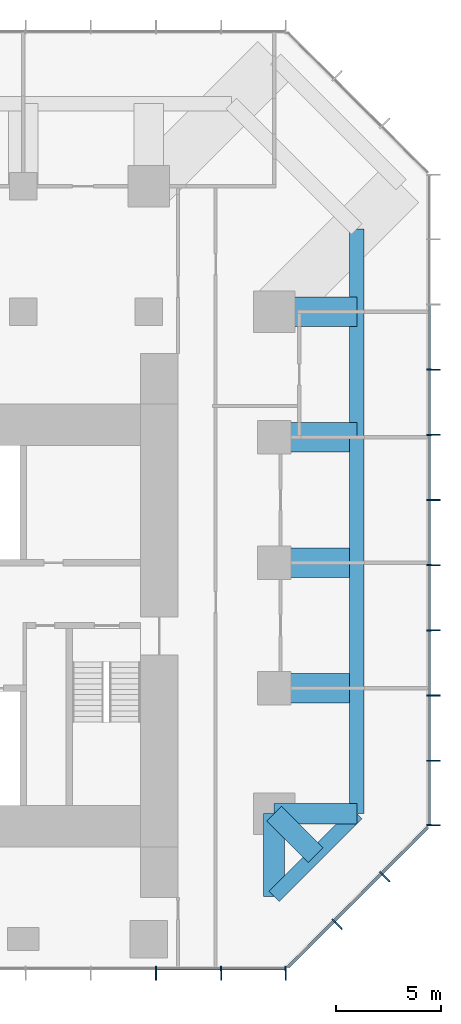
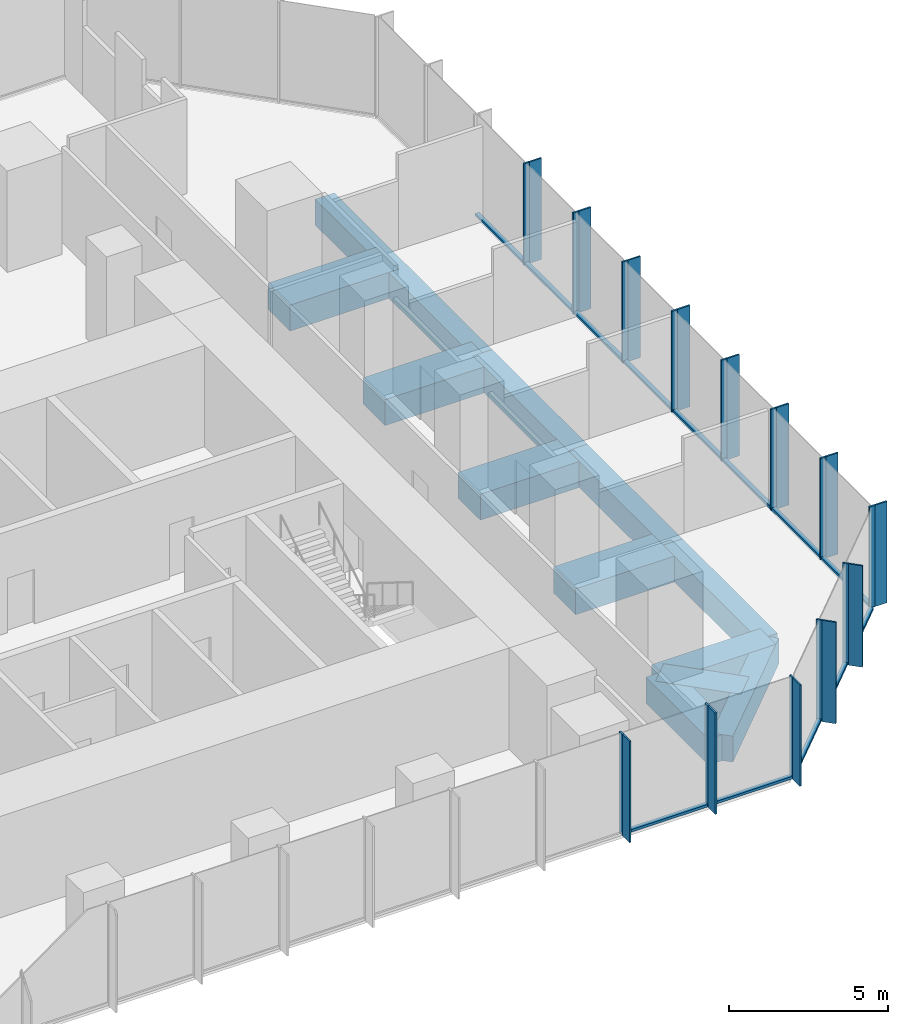
# One storey, part 4 of 11: 39 members, 12 beams, 3 elements without a shape of their own.
"""IFC4 building model written with IfcOpenShell, lengths in metres."""

from ifc_helpers import new_model, si_unit, direction, frame, origin, origin_2d, place, context, subcontext, project, spatial, rectangle, extrude, material, layer, layer_set, material_profile, profile_set, type_object, element, aggregate, save


model = new_model("IFC4")

# Units and contexts
model_context = context("Model", 3, precision=1e-05, world=origin(), true_north=direction((0.0, 1.0)))
body_context = subcontext(model_context, "Body", "Model", "MODEL_VIEW")
ifc_project = project(units=[si_unit("LENGTHUNIT", "METRE"), si_unit("AREAUNIT", "SQUARE_METRE"), si_unit("VOLUMEUNIT", "CUBIC_METRE"), si_unit("PLANEANGLEUNIT", "RADIAN"), si_unit("MASSUNIT", "GRAM", prefix="KILO")], contexts=[model_context])

# Site, building, storey
site_placement = place(None, origin())
site = spatial("IfcSite", under=ifc_project, at=site_placement, CompositionType="ELEMENT")
building_placement = place(site_placement, origin())
building = spatial("IfcBuilding", under=site, at=building_placement, Name="Highveld Stack Headquarters", CompositionType="ELEMENT")
storey_placement = place(building_placement, frame((0.0, 0.0, 173.300048828125)))
storey = spatial("IfcBuildingStorey", under=building, at=storey_placement, Name="L42", CompositionType="ELEMENT", Elevation=173.300048828125)

# Beams
ifc_material_1 = material(Name="Concrete C60/75", Category="concrete")
ifc_material_profile_1 = material_profile(ifc_material_1, rectangle(XDim=1.0, YDim=1.0, at=origin_2d()), Name="RC 1000x1000")
ifc_profile_set_1 = profile_set([ifc_material_profile_1], Name="Concrete C60/75")
beam_type_1 = type_object("IfcBeamType", Name="CANTILEVER RIB RC 1000x1000", PredefinedType="USERDEFINED", material=ifc_profile_set_1)
for number, where, z_axis, x_axis, name in (
    (1, (24.0, -6.0, -0.75), (1.0, 0.0, 0.0), (0.0, 1.0, 0.0), "Cantilever rib 10/D L42"),
    (2, (24.0, -6.0, -0.75), (0.0, -1.0, 0.0), (1.0, 0.0, 0.0), "Cantilever rib 10/D L42"),
):
    element("IfcBeam", number, at=place(storey_placement, frame(where, z_axis=z_axis, x_axis=x_axis)), inside=storey, type_object=beam_type_1, Name=name, ObjectType="CANTILEVER RIB", PredefinedType="USERDEFINED", context=body_context, shape_type="SweptSolid", body=[
        extrude(rectangle(XDim=1.0, YDim=1.0, at=origin_2d()), origin(), (0.0, 0.0, 1.0), 3.949951171875),
    ])
beam_1_placement = place(storey_placement, frame((24.0, -6.0, -0.75), z_axis=(0.707106781187, -0.707106781187, 0.0), x_axis=(0.707106781187, 0.707106781187, 0.0)))
element("IfcBeam", 3, at=beam_1_placement, inside=storey, type_object=beam_type_1, Name="Cantilever rib 10/D L42", ObjectType="CANTILEVER RIB", PredefinedType="USERDEFINED", context=body_context, shape_type="SweptSolid", body=[
    extrude(rectangle(XDim=1.0, YDim=1.0, at=origin_2d()), origin(), (0.0, 0.0, 1.0), 2.793212890625),
])
ifc_material_2 = material(Name="Concrete C60/75", Category="concrete")
ifc_material_profile_2 = material_profile(ifc_material_2, rectangle(XDim=1.39990234375, YDim=1.0, at=origin_2d()), Name="RC 1400x1000")
ifc_profile_set_2 = profile_set([ifc_material_profile_2], Name="Concrete C60/75")
beam_type_2 = type_object("IfcBeamType", Name="CANTILEVER RIB RC 1400x1000", PredefinedType="USERDEFINED", material=ifc_profile_set_2)
for number, where, z_axis, x_axis, name in (
    (4, (24.0, 0.0, -0.75), (1.0, 0.0, 0.0), (0.0, 1.0, 0.0), "Cantilever rib 10/E L42"),
    (5, (24.0, 6.0, -0.75), (1.0, 0.0, 0.0), (0.0, 1.0, 0.0), "Cantilever rib 10/F L42"),
    (6, (24.0, 12.0, -0.75), (1.0, 0.0, 0.0), (0.0, 1.0, 0.0), "Cantilever rib 10/G L42"),
    (7, (24.0, 18.0, -0.75), (1.0, 0.0, 0.0), (0.0, 1.0, 0.0), "Cantilever rib 10/H L42"),
):
    element("IfcBeam", number, at=place(storey_placement, frame(where, z_axis=z_axis, x_axis=x_axis)), inside=storey, type_object=beam_type_2, Name=name, ObjectType="CANTILEVER RIB", PredefinedType="USERDEFINED", context=body_context, shape_type="SweptSolid", body=[
        extrude(rectangle(XDim=1.39990234375, YDim=1.0, at=origin_2d()), origin(), (0.0, 0.0, 1.0), 3.949951171875),
    ])

# Curtain wall, members
ifc_material_3 = material(Name="Aluminium bronze anodised", Category="aluminium")
ifc_layer_1 = layer(ifc_material_3, 0.199951171875)
ifc_layer_set_1 = layer_set([ifc_layer_1], Name="Aluminium bronze anodised")
curtain_wall_type_1 = type_object("IfcCurtainWallType", Name="CW1 TOWER UNITISED CURTAIN WALL", PredefinedType="NOTDEFINED", material=ifc_layer_set_1)
curtain_wall_1_placement = place(storey_placement, origin())
curtain_wall_1 = element("IfcCurtainWall", 8, at=curtain_wall_1_placement, inside=storey, type_object=curtain_wall_type_1, Name="Curtain wall CW1 L42 S", PredefinedType="NOTDEFINED")
ifc_material_4 = material(Name="Aluminium bronze anodised", Category="aluminium")
ifc_material_profile_3 = material_profile(ifc_material_4, rectangle(XDim=0.449951171875, YDim=0.06005859375, at=origin_2d()), Name="FIN 450x60")
ifc_profile_set_3 = profile_set([ifc_material_profile_3], Name="Aluminium bronze anodised")
member_type_1 = type_object("IfcMemberType", Name="CW1 BRONZE FIN 450x60", PredefinedType="USERDEFINED", material=ifc_profile_set_3)
member_1_placement = place(storey_placement, frame((18.347900390625, -13.72509765625, 0.0), z_axis=(0.0, 0.0, 1.0), x_axis=(0.0, 1.0, 0.0)))
member_1 = element("IfcMember", 9, at=member_1_placement, type_object=member_type_1, Name="CW1 fin L42 9", ObjectType="FIN", PredefinedType="USERDEFINED", context=body_context, shape_type="SweptSolid", body=[
    extrude(rectangle(XDim=0.449951171875, YDim=0.06005859375, at=origin_2d()), origin(), (0.0, 0.0, 1.0), 3.89990234375),
])
member_2_placement = place(storey_placement, frame((21.4638671875, -13.72509765625, 0.0), z_axis=(0.0, 0.0, 1.0), x_axis=(0.0, 1.0, 0.0)))
member_2 = element("IfcMember", 10, at=member_2_placement, type_object=member_type_1, Name="CW1 fin L42 10", ObjectType="FIN", PredefinedType="USERDEFINED", context=body_context, shape_type="SweptSolid", body=[
    extrude(rectangle(XDim=0.449951171875, YDim=0.06005859375, at=origin_2d()), origin(), (0.0, 0.0, 1.0), 3.89990234375),
])
member_3_placement = place(storey_placement, frame((24.54736328125, -13.72509765625, 0.0), z_axis=(0.0, 0.0, 1.0), x_axis=(0.0, 1.0, 0.0)))
member_3 = element("IfcMember", 11, at=member_3_placement, type_object=member_type_1, Name="CW1 fin L42 11", ObjectType="FIN", PredefinedType="USERDEFINED", context=body_context, shape_type="SweptSolid", body=[
    extrude(rectangle(XDim=0.449951171875, YDim=0.06005859375, at=origin_2d()), origin(), (0.0, 0.0, 1.0), 3.89990234375),
])

curtain_wall_2_placement = place(storey_placement, origin())
curtain_wall_2 = element("IfcCurtainWall", 12, at=curtain_wall_2_placement, inside=storey, type_object=curtain_wall_type_1, Name="Curtain wall CW1 L42 E", PredefinedType="NOTDEFINED")
member_4_placement = place(storey_placement, frame((31.72509765625, -6.54736328125, 0.0), z_axis=(0.0, 0.0, 1.0), x_axis=(-1.0, 0.0, 0.0)))
member_4 = element("IfcMember", 13, at=member_4_placement, type_object=member_type_1, Name="CW1 fin L42 1", ObjectType="FIN", PredefinedType="USERDEFINED", context=body_context, shape_type="SweptSolid", body=[
    extrude(rectangle(XDim=0.449951171875, YDim=0.06005859375, at=origin_2d()), origin(), (0.0, 0.0, 1.0), 3.89990234375),
])
member_5_placement = place(storey_placement, frame((31.72509765625, -3.4638671875, 0.0), z_axis=(0.0, 0.0, 1.0), x_axis=(-1.0, 0.0, 0.0)))
member_5 = element("IfcMember", 14, at=member_5_placement, type_object=member_type_1, Name="CW1 fin L42 2", ObjectType="FIN", PredefinedType="USERDEFINED", context=body_context, shape_type="SweptSolid", body=[
    extrude(rectangle(XDim=0.449951171875, YDim=0.06005859375, at=origin_2d()), origin(), (0.0, 0.0, 1.0), 3.89990234375),
])
member_6_placement = place(storey_placement, frame((31.72509765625, -0.347900390625, 0.0), z_axis=(0.0, 0.0, 1.0), x_axis=(-1.0, 0.0, 0.0)))
member_6 = element("IfcMember", 15, at=member_6_placement, type_object=member_type_1, Name="CW1 fin L42 3", ObjectType="FIN", PredefinedType="USERDEFINED", context=body_context, shape_type="SweptSolid", body=[
    extrude(rectangle(XDim=0.449951171875, YDim=0.06005859375, at=origin_2d()), origin(), (0.0, 0.0, 1.0), 3.89990234375),
])
member_7_placement = place(storey_placement, frame((31.72509765625, 2.76806640625, 0.0), z_axis=(0.0, 0.0, 1.0), x_axis=(-1.0, 0.0, 0.0)))
member_7 = element("IfcMember", 16, at=member_7_placement, type_object=member_type_1, Name="CW1 fin L42 4", ObjectType="FIN", PredefinedType="USERDEFINED", context=body_context, shape_type="SweptSolid", body=[
    extrude(rectangle(XDim=0.449951171875, YDim=0.06005859375, at=origin_2d()), origin(), (0.0, 0.0, 1.0), 3.89990234375),
])
member_8_placement = place(storey_placement, frame((31.72509765625, 5.884033203125, 0.0), z_axis=(0.0, 0.0, 1.0), x_axis=(-1.0, 0.0, 0.0)))
member_8 = element("IfcMember", 17, at=member_8_placement, type_object=member_type_1, Name="CW1 fin L42 5", ObjectType="FIN", PredefinedType="USERDEFINED", context=body_context, shape_type="SweptSolid", body=[
    extrude(rectangle(XDim=0.449951171875, YDim=0.06005859375, at=origin_2d()), origin(), (0.0, 0.0, 1.0), 3.89990234375),
])
member_9_placement = place(storey_placement, frame((31.72509765625, 9.0, 0.0), z_axis=(0.0, 0.0, 1.0), x_axis=(-1.0, 0.0, 0.0)))
member_9 = element("IfcMember", 18, at=member_9_placement, type_object=member_type_1, Name="CW1 fin L42 6", ObjectType="FIN", PredefinedType="USERDEFINED", context=body_context, shape_type="SweptSolid", body=[
    extrude(rectangle(XDim=0.449951171875, YDim=0.06005859375, at=origin_2d()), origin(), (0.0, 0.0, 1.0), 3.89990234375),
])
member_10_placement = place(storey_placement, frame((31.72509765625, 12.115966796875, 0.0), z_axis=(0.0, 0.0, 1.0), x_axis=(-1.0, 0.0, 0.0)))
member_10 = element("IfcMember", 19, at=member_10_placement, type_object=member_type_1, Name="CW1 fin L42 7", ObjectType="FIN", PredefinedType="USERDEFINED", context=body_context, shape_type="SweptSolid", body=[
    extrude(rectangle(XDim=0.449951171875, YDim=0.06005859375, at=origin_2d()), origin(), (0.0, 0.0, 1.0), 3.89990234375),
])
member_11_placement = place(storey_placement, frame((31.72509765625, 15.23193359375, 0.0), z_axis=(0.0, 0.0, 1.0), x_axis=(-1.0, 0.0, 0.0)))
member_11 = element("IfcMember", 20, at=member_11_placement, type_object=member_type_1, Name="CW1 fin L42 8", ObjectType="FIN", PredefinedType="USERDEFINED", context=body_context, shape_type="SweptSolid", body=[
    extrude(rectangle(XDim=0.449951171875, YDim=0.06005859375, at=origin_2d()), origin(), (0.0, 0.0, 1.0), 3.89990234375),
])

# Member
ifc_material_5 = material(Name="Aluminium bronze anodised", Category="aluminium")
ifc_material_profile_4 = material_profile(ifc_material_5, rectangle(XDim=0.199951171875, YDim=0.06494140625, at=origin_2d()), Name="CW1 MULLION 65x200")
ifc_profile_set_4 = profile_set([ifc_material_profile_4], Name="Aluminium bronze anodised")
member_type_2 = type_object("IfcMemberType", Name="CW1 MULLION 65x200", PredefinedType="MULLION", material=ifc_profile_set_4)
member_12_placement = place(storey_placement, frame((18.347900390625, -13.39990234375, 0.0), z_axis=(0.0, 0.0, 1.0), x_axis=(0.0, 1.0, 0.0)))
member_12 = element("IfcMember", 21, at=member_12_placement, type_object=member_type_2, Name="CW1 mullion L42 9", PredefinedType="MULLION", context=body_context, shape_type="SweptSolid", body=[
    extrude(rectangle(XDim=0.199951171875, YDim=0.06494140625, at=origin_2d()), origin(), (0.0, 0.0, 1.0), 3.89990234375),
])

member_13_placement = place(storey_placement, frame((21.4638671875, -13.39990234375, 0.0), z_axis=(0.0, 0.0, 1.0), x_axis=(0.0, 1.0, 0.0)))
member_13 = element("IfcMember", 22, at=member_13_placement, type_object=member_type_2, Name="CW1 mullion L42 10", PredefinedType="MULLION", context=body_context, shape_type="SweptSolid", body=[
    extrude(rectangle(XDim=0.199951171875, YDim=0.06494140625, at=origin_2d()), origin(), (0.0, 0.0, 1.0), 3.89990234375),
])

member_14_placement = place(storey_placement, frame((24.54736328125, -13.39990234375, 0.0), z_axis=(0.0, 0.0, 1.0), x_axis=(0.0, 1.0, 0.0)))
member_14 = element("IfcMember", 23, at=member_14_placement, type_object=member_type_2, Name="CW1 mullion L42 11", PredefinedType="MULLION", context=body_context, shape_type="SweptSolid", body=[
    extrude(rectangle(XDim=0.199951171875, YDim=0.06494140625, at=origin_2d()), origin(), (0.0, 0.0, 1.0), 3.89990234375),
])

member_15_placement = place(storey_placement, frame((31.39990234375, -6.54736328125, 0.0), z_axis=(0.0, 0.0, 1.0), x_axis=(-1.0, 0.0, 0.0)))
member_15 = element("IfcMember", 24, at=member_15_placement, type_object=member_type_2, Name="CW1 mullion L42 1", PredefinedType="MULLION", context=body_context, shape_type="SweptSolid", body=[
    extrude(rectangle(XDim=0.199951171875, YDim=0.06494140625, at=origin_2d()), origin(), (0.0, 0.0, 1.0), 3.89990234375),
])

member_16_placement = place(storey_placement, frame((31.39990234375, -3.4638671875, 0.0), z_axis=(0.0, 0.0, 1.0), x_axis=(-1.0, 0.0, 0.0)))
member_16 = element("IfcMember", 25, at=member_16_placement, type_object=member_type_2, Name="CW1 mullion L42 2", PredefinedType="MULLION", context=body_context, shape_type="SweptSolid", body=[
    extrude(rectangle(XDim=0.199951171875, YDim=0.06494140625, at=origin_2d()), origin(), (0.0, 0.0, 1.0), 3.89990234375),
])

member_17_placement = place(storey_placement, frame((31.39990234375, -0.347900390625, 0.0), z_axis=(0.0, 0.0, 1.0), x_axis=(-1.0, 0.0, 0.0)))
member_17 = element("IfcMember", 26, at=member_17_placement, type_object=member_type_2, Name="CW1 mullion L42 3", PredefinedType="MULLION", context=body_context, shape_type="SweptSolid", body=[
    extrude(rectangle(XDim=0.199951171875, YDim=0.06494140625, at=origin_2d()), origin(), (0.0, 0.0, 1.0), 3.89990234375),
])

member_18_placement = place(storey_placement, frame((31.39990234375, 2.76806640625, 0.0), z_axis=(0.0, 0.0, 1.0), x_axis=(-1.0, 0.0, 0.0)))
member_18 = element("IfcMember", 27, at=member_18_placement, type_object=member_type_2, Name="CW1 mullion L42 4", PredefinedType="MULLION", context=body_context, shape_type="SweptSolid", body=[
    extrude(rectangle(XDim=0.199951171875, YDim=0.06494140625, at=origin_2d()), origin(), (0.0, 0.0, 1.0), 3.89990234375),
])

member_19_placement = place(storey_placement, frame((31.39990234375, 5.884033203125, 0.0), z_axis=(0.0, 0.0, 1.0), x_axis=(-1.0, 0.0, 0.0)))
member_19 = element("IfcMember", 28, at=member_19_placement, type_object=member_type_2, Name="CW1 mullion L42 5", PredefinedType="MULLION", context=body_context, shape_type="SweptSolid", body=[
    extrude(rectangle(XDim=0.199951171875, YDim=0.06494140625, at=origin_2d()), origin(), (0.0, 0.0, 1.0), 3.89990234375),
])

member_20_placement = place(storey_placement, frame((31.39990234375, 9.0, 0.0), z_axis=(0.0, 0.0, 1.0), x_axis=(-1.0, 0.0, 0.0)))
member_20 = element("IfcMember", 29, at=member_20_placement, type_object=member_type_2, Name="CW1 mullion L42 6", PredefinedType="MULLION", context=body_context, shape_type="SweptSolid", body=[
    extrude(rectangle(XDim=0.199951171875, YDim=0.06494140625, at=origin_2d()), origin(), (0.0, 0.0, 1.0), 3.89990234375),
])

member_21_placement = place(storey_placement, frame((31.39990234375, 12.115966796875, 0.0), z_axis=(0.0, 0.0, 1.0), x_axis=(-1.0, 0.0, 0.0)))
member_21 = element("IfcMember", 30, at=member_21_placement, type_object=member_type_2, Name="CW1 mullion L42 7", PredefinedType="MULLION", context=body_context, shape_type="SweptSolid", body=[
    extrude(rectangle(XDim=0.199951171875, YDim=0.06494140625, at=origin_2d()), origin(), (0.0, 0.0, 1.0), 3.89990234375),
])

member_22_placement = place(storey_placement, frame((31.39990234375, 15.23193359375, 0.0), z_axis=(0.0, 0.0, 1.0), x_axis=(-1.0, 0.0, 0.0)))
member_22 = element("IfcMember", 31, at=member_22_placement, type_object=member_type_2, Name="CW1 mullion L42 8", PredefinedType="MULLION", context=body_context, shape_type="SweptSolid", body=[
    extrude(rectangle(XDim=0.199951171875, YDim=0.06494140625, at=origin_2d()), origin(), (0.0, 0.0, 1.0), 3.89990234375),
])

ifc_material_6 = material(Name="Aluminium bronze anodised", Category="aluminium")
ifc_material_profile_5 = material_profile(ifc_material_6, rectangle(XDim=0.14990234375, YDim=0.10009765625, at=origin_2d()), Name="CW1 TRANSOM 150x100")
ifc_profile_set_5 = profile_set([ifc_material_profile_5], Name="Aluminium bronze anodised")
member_type_3 = type_object("IfcMemberType", Name="CW1 STACK TRANSOM 150x100", PredefinedType="USERDEFINED", material=ifc_profile_set_5)
member_23_placement = place(storey_placement, frame((18.38037109375, -13.39990234375, 0.050048828125), z_axis=(1.0, 0.0, 0.0), x_axis=(0.0, 1.0, 0.0)))
member_23 = element("IfcMember", 32, at=member_23_placement, type_object=member_type_3, Name="CW1 transom L42 9.1", ObjectType="TRANSOM", PredefinedType="USERDEFINED", context=body_context, shape_type="SweptSolid", body=[
    extrude(rectangle(XDim=0.14990234375, YDim=0.10009765625, at=origin_2d()), origin(), (0.0, 0.0, 1.0), 3.051025390625),
])

member_24_placement = place(storey_placement, frame((21.496337890625, -13.39990234375, 0.050048828125), z_axis=(1.0, 0.0, 0.0), x_axis=(0.0, 1.0, 0.0)))
member_24 = element("IfcMember", 33, at=member_24_placement, type_object=member_type_3, Name="CW1 transom L42 10.1", ObjectType="TRANSOM", PredefinedType="USERDEFINED", context=body_context, shape_type="SweptSolid", body=[
    extrude(rectangle(XDim=0.14990234375, YDim=0.10009765625, at=origin_2d()), origin(), (0.0, 0.0, 1.0), 3.0185546875),
])

aggregate(curtain_wall_1, [member_12, member_1, member_13, member_2, member_14, member_3, member_23, member_24])

member_25_placement = place(storey_placement, frame((31.39990234375, -6.514892578125, 0.050048828125), z_axis=(0.0, 1.0, 0.0), x_axis=(-1.0, 0.0, 0.0)))
member_25 = element("IfcMember", 34, at=member_25_placement, type_object=member_type_3, Name="CW1 transom L42 1.1", ObjectType="TRANSOM", PredefinedType="USERDEFINED", context=body_context, shape_type="SweptSolid", body=[
    extrude(rectangle(XDim=0.14990234375, YDim=0.10009765625, at=origin_2d()), origin(), (0.0, 0.0, 1.0), 3.0185546875),
])

member_26_placement = place(storey_placement, frame((31.39990234375, -3.431396484375, 0.050048828125), z_axis=(0.0, 1.0, 0.0), x_axis=(-1.0, 0.0, 0.0)))
member_26 = element("IfcMember", 35, at=member_26_placement, type_object=member_type_3, Name="CW1 transom L42 2.1", ObjectType="TRANSOM", PredefinedType="USERDEFINED", context=body_context, shape_type="SweptSolid", body=[
    extrude(rectangle(XDim=0.14990234375, YDim=0.10009765625, at=origin_2d()), origin(), (0.0, 0.0, 1.0), 3.051025390625),
])

member_27_placement = place(storey_placement, frame((31.39990234375, -0.3154296875, 0.050048828125), z_axis=(0.0, 1.0, 0.0), x_axis=(-1.0, 0.0, 0.0)))
member_27 = element("IfcMember", 36, at=member_27_placement, type_object=member_type_3, Name="CW1 transom L42 3.1", ObjectType="TRANSOM", PredefinedType="USERDEFINED", context=body_context, shape_type="SweptSolid", body=[
    extrude(rectangle(XDim=0.14990234375, YDim=0.10009765625, at=origin_2d()), origin(), (0.0, 0.0, 1.0), 3.051025390625),
])

member_28_placement = place(storey_placement, frame((31.39990234375, 2.800537109375, 0.050048828125), z_axis=(0.0, 1.0, 0.0), x_axis=(-1.0, 0.0, 0.0)))
member_28 = element("IfcMember", 37, at=member_28_placement, type_object=member_type_3, Name="CW1 transom L42 4.1", ObjectType="TRANSOM", PredefinedType="USERDEFINED", context=body_context, shape_type="SweptSolid", body=[
    extrude(rectangle(XDim=0.14990234375, YDim=0.10009765625, at=origin_2d()), origin(), (0.0, 0.0, 1.0), 3.051025390625),
])

member_29_placement = place(storey_placement, frame((31.39990234375, 5.91650390625, 0.050048828125), z_axis=(0.0, 1.0, 0.0), x_axis=(-1.0, 0.0, 0.0)))
member_29 = element("IfcMember", 38, at=member_29_placement, type_object=member_type_3, Name="CW1 transom L42 5.1", ObjectType="TRANSOM", PredefinedType="USERDEFINED", context=body_context, shape_type="SweptSolid", body=[
    extrude(rectangle(XDim=0.14990234375, YDim=0.10009765625, at=origin_2d()), origin(), (0.0, 0.0, 1.0), 3.051025390625),
])

member_30_placement = place(storey_placement, frame((31.39990234375, 9.032470703125, 0.050048828125), z_axis=(0.0, 1.0, 0.0), x_axis=(-1.0, 0.0, 0.0)))
member_30 = element("IfcMember", 39, at=member_30_placement, type_object=member_type_3, Name="CW1 transom L42 6.1", ObjectType="TRANSOM", PredefinedType="USERDEFINED", context=body_context, shape_type="SweptSolid", body=[
    extrude(rectangle(XDim=0.14990234375, YDim=0.10009765625, at=origin_2d()), origin(), (0.0, 0.0, 1.0), 3.051025390625),
])

member_31_placement = place(storey_placement, frame((31.39990234375, 12.1484375, 0.050048828125), z_axis=(0.0, 1.0, 0.0), x_axis=(-1.0, 0.0, 0.0)))
member_31 = element("IfcMember", 40, at=member_31_placement, type_object=member_type_3, Name="CW1 transom L42 7.1", ObjectType="TRANSOM", PredefinedType="USERDEFINED", context=body_context, shape_type="SweptSolid", body=[
    extrude(rectangle(XDim=0.14990234375, YDim=0.10009765625, at=origin_2d()), origin(), (0.0, 0.0, 1.0), 3.051025390625),
])

member_32_placement = place(storey_placement, frame((31.39990234375, 15.264404296875, 0.050048828125), z_axis=(0.0, 1.0, 0.0), x_axis=(-1.0, 0.0, 0.0)))
member_32 = element("IfcMember", 41, at=member_32_placement, type_object=member_type_3, Name="CW1 transom L42 8.1", ObjectType="TRANSOM", PredefinedType="USERDEFINED", context=body_context, shape_type="SweptSolid", body=[
    extrude(rectangle(XDim=0.14990234375, YDim=0.10009765625, at=origin_2d()), origin(), (0.0, 0.0, 1.0), 3.051025390625),
])

aggregate(curtain_wall_2, [member_15, member_4, member_16, member_5, member_17, member_6, member_18, member_7, member_19, member_8, member_20, member_9, member_21, member_10, member_22, member_11, member_25, member_26, member_27, member_28, member_29, member_30, member_31, member_32])

# Curtain wall, members
ifc_material_7 = material(Name="Aluminium bronze anodised", Category="aluminium")
ifc_layer_2 = layer(ifc_material_7, 0.199951171875)
ifc_layer_set_2 = layer_set([ifc_layer_2], Name="Aluminium bronze anodised")
curtain_wall_type_2 = type_object("IfcCurtainWallType", Name="CW2 TOWER CHAMFER UNITISED CURTAIN WALL", PredefinedType="NOTDEFINED", material=ifc_layer_set_2)
curtain_wall_3_placement = place(storey_placement, origin())
curtain_wall_3 = element("IfcCurtainWall", 42, at=curtain_wall_3_placement, inside=storey, type_object=curtain_wall_type_2, Name="Curtain wall CW2 L42 SE", PredefinedType="NOTDEFINED")
ifc_material_8 = material(Name="Aluminium bronze anodised", Category="aluminium")
ifc_material_profile_6 = material_profile(ifc_material_8, rectangle(XDim=0.449951171875, YDim=0.06005859375, at=origin_2d()), Name="FIN 450x60")
ifc_profile_set_6 = profile_set([ifc_material_profile_6], Name="Aluminium bronze anodised")
member_type_4 = type_object("IfcMemberType", Name="CW2 BRONZE FIN 450x60", PredefinedType="USERDEFINED", material=ifc_profile_set_6)
member_33_placement = place(storey_placement, frame((27.0830078125, -11.3564453125, 0.0), z_axis=(0.0, 0.0, 1.0), x_axis=(-0.707106781187, 0.707106781187, 0.0)))
member_33 = element("IfcMember", 43, at=member_33_placement, type_object=member_type_4, Name="CW2 fin L42 1", ObjectType="FIN", PredefinedType="USERDEFINED", context=body_context, shape_type="SweptSolid", body=[
    extrude(rectangle(XDim=0.449951171875, YDim=0.06005859375, at=origin_2d()), origin(), (0.0, 0.0, 1.0), 3.89990234375),
])
member_34_placement = place(storey_placement, frame((29.3564453125, -9.0830078125, 0.0), z_axis=(0.0, 0.0, 1.0), x_axis=(-0.707106781187, 0.707106781187, 0.0)))
member_34 = element("IfcMember", 44, at=member_34_placement, type_object=member_type_4, Name="CW2 fin L42 2", ObjectType="FIN", PredefinedType="USERDEFINED", context=body_context, shape_type="SweptSolid", body=[
    extrude(rectangle(XDim=0.449951171875, YDim=0.06005859375, at=origin_2d()), origin(), (0.0, 0.0, 1.0), 3.89990234375),
])
ifc_material_9 = material(Name="Aluminium bronze anodised", Category="aluminium")
ifc_material_profile_7 = material_profile(ifc_material_9, rectangle(XDim=0.199951171875, YDim=0.06494140625, at=origin_2d()), Name="CW2 MULLION 65x200")
ifc_profile_set_7 = profile_set([ifc_material_profile_7], Name="Aluminium bronze anodised")
member_type_5 = type_object("IfcMemberType", Name="CW2 MULLION 65x200", PredefinedType="MULLION", material=ifc_profile_set_7)
member_35_placement = place(storey_placement, frame((26.853271484375, -11.126708984375, 0.0), z_axis=(0.0, 0.0, 1.0), x_axis=(-0.707106781187, 0.707106781187, 0.0)))
member_35 = element("IfcMember", 45, at=member_35_placement, type_object=member_type_5, Name="CW2 mullion L42 1", PredefinedType="MULLION", context=body_context, shape_type="SweptSolid", body=[
    extrude(rectangle(XDim=0.199951171875, YDim=0.06494140625, at=origin_2d()), origin(), (0.0, 0.0, 1.0), 3.89990234375),
])
member_36_placement = place(storey_placement, frame((29.126708984375, -8.853271484375, 0.0), z_axis=(0.0, 0.0, 1.0), x_axis=(-0.707106781187, 0.707106781187, 0.0)))
member_36 = element("IfcMember", 46, at=member_36_placement, type_object=member_type_5, Name="CW2 mullion L42 2", PredefinedType="MULLION", context=body_context, shape_type="SweptSolid", body=[
    extrude(rectangle(XDim=0.199951171875, YDim=0.06494140625, at=origin_2d()), origin(), (0.0, 0.0, 1.0), 3.89990234375),
])
ifc_material_10 = material(Name="Aluminium bronze anodised", Category="aluminium")
ifc_material_profile_8 = material_profile(ifc_material_10, rectangle(XDim=0.14990234375, YDim=0.10009765625, at=origin_2d()), Name="CW2 TRANSOM 150x100")
ifc_profile_set_8 = profile_set([ifc_material_profile_8], Name="Aluminium bronze anodised")
member_type_6 = type_object("IfcMemberType", Name="CW2 STACK TRANSOM 150x100", PredefinedType="USERDEFINED", material=ifc_profile_set_8)
member_37_placement = place(storey_placement, frame((24.650634765625, -13.329345703125, 0.050048828125), z_axis=(0.707106781187, 0.707106781187, 0.0), x_axis=(-0.707106781187, 0.707106781187, 0.0)))
member_37 = element("IfcMember", 47, at=member_37_placement, type_object=member_type_6, Name="CW2 transom L42 1.1", ObjectType="TRANSOM", PredefinedType="USERDEFINED", context=body_context, shape_type="SweptSolid", body=[
    extrude(rectangle(XDim=0.14990234375, YDim=0.10009765625, at=origin_2d()), origin(), (0.0, 0.0, 1.0), 3.08251953125),
])
member_38_placement = place(storey_placement, frame((26.876220703125, -11.103759765625, 0.050048828125), z_axis=(0.707106781187, 0.707106781187, 0.0), x_axis=(-0.707106781187, 0.707106781187, 0.0)))
member_38 = element("IfcMember", 48, at=member_38_placement, type_object=member_type_6, Name="CW2 transom L42 2.1", ObjectType="TRANSOM", PredefinedType="USERDEFINED", context=body_context, shape_type="SweptSolid", body=[
    extrude(rectangle(XDim=0.14990234375, YDim=0.10009765625, at=origin_2d()), origin(), (0.0, 0.0, 1.0), 3.150146484375),
])
member_39_placement = place(storey_placement, frame((29.149658203125, -8.830322265625, 0.050048828125), z_axis=(0.707106781187, 0.707106781187, 0.0), x_axis=(-0.707106781187, 0.707106781187, 0.0)))
member_39 = element("IfcMember", 49, at=member_39_placement, type_object=member_type_6, Name="CW2 transom L42 3.1", ObjectType="TRANSOM", PredefinedType="USERDEFINED", context=body_context, shape_type="SweptSolid", body=[
    extrude(rectangle(XDim=0.14990234375, YDim=0.10009765625, at=origin_2d()), origin(), (0.0, 0.0, 1.0), 3.08251953125),
])
aggregate(curtain_wall_3, [member_35, member_33, member_36, member_34, member_37, member_38, member_39])

# Beams
ifc_material_11 = material(Name="Concrete C60/75", Category="concrete")
ifc_material_profile_9 = material_profile(ifc_material_11, rectangle(XDim=0.699951171875, YDim=1.0, at=origin_2d()), Name="RC 700x1000")
ifc_profile_set_9 = profile_set([ifc_material_profile_9], Name="Concrete C60/75")
beam_type_3 = type_object("IfcBeamType", Name="RIB TIP BEAM RC 700x1000", PredefinedType="SPANDREL", material=ifc_profile_set_9)
for number, where, z_axis, x_axis, name in (
    (50, (27.949951171875, -6.0, -0.75), (0.0, 1.0, 0.0), (-1.0, 0.0, 0.0), "Rib tip beam 10/D to 10/E L42"),
    (51, (27.949951171875, 0.0, -0.75), (0.0, 1.0, 0.0), (-1.0, 0.0, 0.0), "Rib tip beam 10/E to 10/F L42"),
    (52, (27.949951171875, 6.0, -0.75), (0.0, 1.0, 0.0), (-1.0, 0.0, 0.0), "Rib tip beam 10/F to 10/G L42"),
):
    element("IfcBeam", number, at=place(storey_placement, frame(where, z_axis=z_axis, x_axis=x_axis)), inside=storey, type_object=beam_type_3, Name=name, PredefinedType="SPANDREL", context=body_context, shape_type="SweptSolid", body=[
        extrude(rectangle(XDim=0.699951171875, YDim=1.0, at=origin_2d()), origin(), (0.0, 0.0, 1.0), 6.0),
    ])
beam_2_placement = place(storey_placement, frame((27.949951171875, 12.0, -0.75), z_axis=(0.0, 1.0, 0.0), x_axis=(-1.0, 0.0, 0.0)))
element("IfcBeam", 53, at=beam_2_placement, inside=storey, type_object=beam_type_3, Name="Rib tip beam 10/G to 10/H L42", PredefinedType="SPANDREL", context=body_context, shape_type="SweptSolid", body=[
    extrude(rectangle(XDim=0.699951171875, YDim=1.0, at=origin_2d()), origin(), (0.0, 0.0, 1.0), 9.949951171875),
])
beam_3_placement = place(storey_placement, frame((27.949951171875, -6.0, -0.75), z_axis=(-0.707106781187, -0.707106781187, 0.0), x_axis=(0.707106781187, -0.707106781187, 0.0)))
element("IfcBeam", 54, at=beam_3_placement, inside=storey, type_object=beam_type_3, Name="Rib tip beam 10/D corner L42", PredefinedType="SPANDREL", context=body_context, shape_type="SweptSolid", body=[
    extrude(rectangle(XDim=0.699951171875, YDim=1.0, at=origin_2d()), origin(), (0.0, 0.0, 1.0), 5.586181640625),
])

save(model, "model.ifc")
